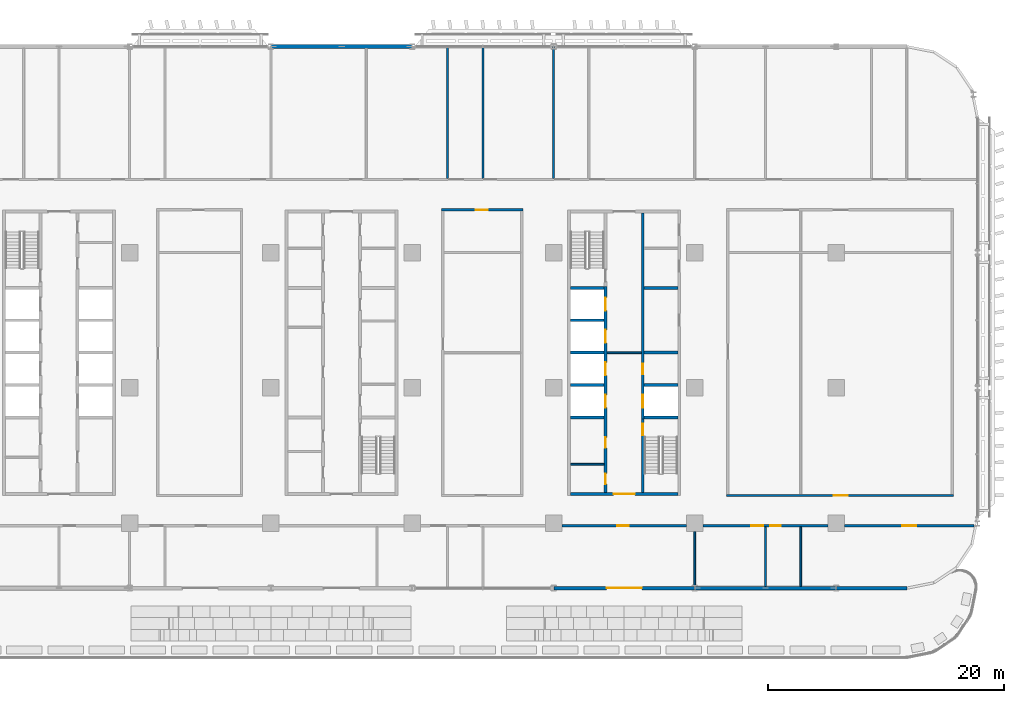
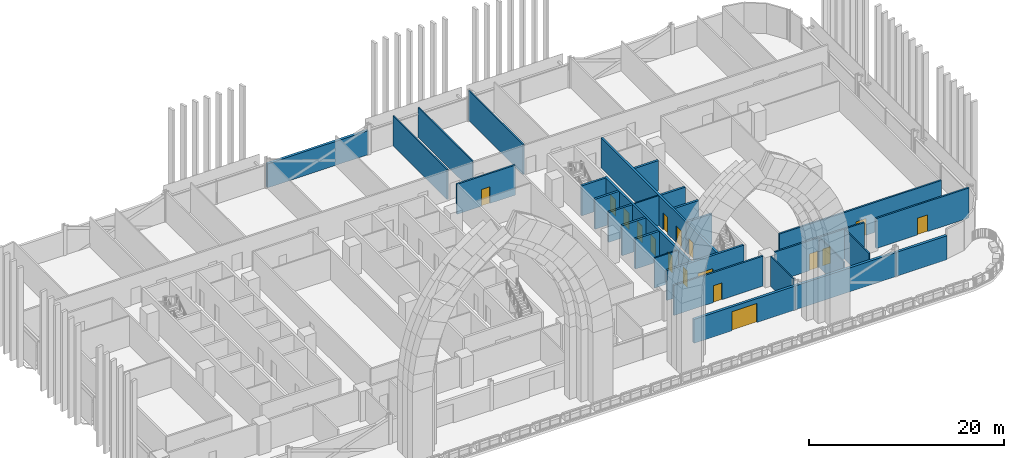
# One storey, part 14 of 31: 30 walls, 17 doors, 17 openings.
"""IFC4 building model written with IfcOpenShell, lengths in metres."""

from ifc_helpers import new_model, si_unit, direction, frame, frame_2d, origin, place, context, subcontext, project, spatial, rectangle, extrude, material, layer, layer_set, type_object, element, fill, save


model = new_model("IFC4")

# Units and contexts
model_context = context("Model", 3, precision=1e-05, world=origin(), true_north=direction((0.0, 1.0)))
body_context = subcontext(model_context, "Body", "Model", "MODEL_VIEW")
ifc_project = project(units=[si_unit("LENGTHUNIT", "METRE"), si_unit("AREAUNIT", "SQUARE_METRE"), si_unit("VOLUMEUNIT", "CUBIC_METRE"), si_unit("PLANEANGLEUNIT", "RADIAN"), si_unit("MASSUNIT", "GRAM", prefix="KILO")], contexts=[model_context])

# Site, building, storey
site_placement = place(None, origin())
site = spatial("IfcSite", under=ifc_project, at=site_placement, CompositionType="ELEMENT")
building_placement = place(site_placement, origin())
building = spatial("IfcBuilding", under=site, at=building_placement, Name="Mahtab Terrace Research Tower", CompositionType="ELEMENT")
storey_placement = place(building_placement, frame((0.0, 0.0, 84.800048828125)))
storey = spatial("IfcBuildingStorey", under=building, at=storey_placement, Name="L19", CompositionType="ELEMENT", Elevation=84.800048828125)

# Walls
ifc_material_1 = material(Name="Gypsum board partition")
ifc_layer_1 = layer(ifc_material_1, 0.14990234375)
ifc_layer_set_1 = layer_set([ifc_layer_1], Name="Core partition 150")
wall_type_1 = type_object("IfcWallType", Name="Core partition 150", PredefinedType="PARTITIONING", material=ifc_layer_set_1)
wall_1_placement = place(storey_placement, frame((22.550048828125, 3.0, 0.0), z_axis=(0.0, 0.0, 1.0), x_axis=(1.0, 0.0, 0.0)))
element("IfcWall", 1, at=wall_1_placement, inside=storey, type_object=wall_type_1, Name="Core wall C ffl", PredefinedType="PARTITIONING", context=body_context, shape_type="SweptSolid", body=[
    extrude(rectangle(XDim=2.89990234375, YDim=0.14990234375, at=frame_2d((1.449951171875, 0.0))), origin(), (0.0, 0.0, 1.0), 3.760009765625),
])
wall_2_placement = place(storey_placement, frame((19.449951171875, -6.47509765625, 0.0), z_axis=(0.0, 0.0, 1.0), x_axis=(1.0, 0.0, 0.0)))
element("IfcWall", 2, at=wall_2_placement, inside=storey, type_object=wall_type_1, Name="Core wall C pWS-948", PredefinedType="PARTITIONING", context=body_context, shape_type="SweptSolid", body=[
    extrude(rectangle(XDim=2.85009765625, YDim=0.14990234375, at=frame_2d((1.425048828125, 0.0))), origin(), (0.0, 0.0, 1.0), 3.760009765625),
])

# Wall, opening, door
ifc_material_2 = material(Name="Concrete C70/85", Category="concrete")
ifc_layer_2 = layer(ifc_material_2, 0.25)
ifc_layer_set_2 = layer_set([ifc_layer_2], Name="Core wall 250")
wall_type_2 = type_object("IfcWallType", Name="Core wall 250", PredefinedType="SOLIDWALL", material=ifc_layer_set_2)
wall_3_placement = place(storey_placement, frame((28.550048828125, -9.0, 0.0), z_axis=(0.0, 0.0, 1.0), x_axis=(-1.0, 0.0, 0.0)))
wall_3 = element("IfcWall", 3, at=wall_3_placement, inside=storey, type_object=wall_type_2, Name="Core wall C endS", PredefinedType="SOLIDWALL", context=body_context, shape_type="SweptSolid", body=[
    extrude(rectangle(XDim=9.10009765625, YDim=0.25, at=frame_2d((4.550048828125, 0.0))), origin(), (0.0, 0.0, 1.0), 3.760009765625),
])
opening_1_placement = place(wall_3_placement, frame((3.64990234375, 0.0, 0.0)))
opening_1 = element("IfcOpeningElement", 4, at=opening_1_placement, cuts=wall_3, Name="Opening C-S1", PredefinedType="OPENING", context=body_context, shape_type="SweptSolid", body=[
    extrude(rectangle(XDim=1.800048828125, YDim=2.10009765625, at=frame_2d((0.89990234375, 1.050048828125))), frame((0.0, 0.135009765625, 0.0), z_axis=(0.0, -1.0, 0.0), x_axis=(1.0, 0.0, 0.0)), (0.0, 0.0, 1.0), 0.27001953125),
])
ifc_material_3 = material(Name="Steel fire door", Category="steel")
door_type_1 = type_object("IfcDoorType", Name="Lobby double door 1800x2100 1 HR", OperationType="DOUBLE_DOOR_SINGLE_SWING", PredefinedType="DOOR", material=ifc_material_3)
door_1_placement = place(opening_1_placement, origin())
door_1 = element("IfcDoor", 5, at=door_1_placement, inside=storey, type_object=door_type_1, Name="Core entrance door C S", OperationType="DOUBLE_DOOR_SINGLE_SWING", OverallHeight=2.10009765625, OverallWidth=1.800048828125, PredefinedType="DOOR", context=body_context, shape_type="SweptSolid", body=[
    extrude(rectangle(XDim=1.800048828125, YDim=2.10009765625, at=frame_2d((0.89990234375, 1.050048828125))), frame((0.0, 0.02490234375, 0.0), z_axis=(0.0, -1.0, 0.0), x_axis=(1.0, 0.0, 0.0)), (0.0, 0.0, 1.0), 0.050048828125),
])
fill(opening_1, door_1)

# Wall, openings, doors
wall_4_placement = place(storey_placement, frame((22.425048828125, -8.875, 0.0), z_axis=(0.0, 0.0, 1.0), x_axis=(0.0, 1.0, 0.0)))
wall_4 = element("IfcWall", 6, at=wall_4_placement, inside=storey, type_object=wall_type_2, Name="Core wall C innerWSL", PredefinedType="SOLIDWALL", context=body_context, shape_type="SweptSolid", body=[
    extrude(rectangle(XDim=17.5, YDim=0.25, at=frame_2d((8.75, 0.0))), origin(), (0.0, 0.0, 1.0), 3.760009765625),
])
opening_2_placement = place(wall_4_placement, frame((7.199951171875, 0.0, 0.0)))
opening_2 = element("IfcOpeningElement", 7, at=opening_2_placement, cuts=wall_4, Name="Opening LD17-L19", PredefinedType="OPENING", context=body_context, shape_type="SweptSolid", body=[
    extrude(rectangle(XDim=1.10009765625, YDim=2.10009765625, at=frame_2d((0.550048828125, 1.050048828125))), frame((0.0, 0.135009765625, 0.0), z_axis=(0.0, -1.0, 0.0), x_axis=(1.0, 0.0, 0.0)), (0.0, 0.0, 1.0), 0.27001953125),
])
opening_3_placement = place(wall_4_placement, frame((9.949951171875, 0.0, 0.0)))
opening_3 = element("IfcOpeningElement", 8, at=opening_3_placement, cuts=wall_4, Name="Opening LD18-L19", PredefinedType="OPENING", context=body_context, shape_type="SweptSolid", body=[
    extrude(rectangle(XDim=1.10009765625, YDim=2.10009765625, at=frame_2d((0.550048828125, 1.050048828125))), frame((0.0, 0.135009765625, 0.0), z_axis=(0.0, -1.0, 0.0), x_axis=(1.0, 0.0, 0.0)), (0.0, 0.0, 1.0), 0.27001953125),
])
opening_4_placement = place(wall_4_placement, frame((12.699951171875, 0.0, 0.0)))
opening_4 = element("IfcOpeningElement", 9, at=opening_4_placement, cuts=wall_4, Name="Opening LD19-L19", PredefinedType="OPENING", context=body_context, shape_type="SweptSolid", body=[
    extrude(rectangle(XDim=1.10009765625, YDim=2.10009765625, at=frame_2d((0.550048828125, 1.050048828125))), frame((0.0, 0.135009765625, 0.0), z_axis=(0.0, -1.0, 0.0), x_axis=(1.0, 0.0, 0.0)), (0.0, 0.0, 1.0), 0.27001953125),
])
opening_5_placement = place(wall_4_placement, frame((15.449951171875, 0.0, 0.0)))
opening_5 = element("IfcOpeningElement", 10, at=opening_5_placement, cuts=wall_4, Name="Opening LD20-L19", PredefinedType="OPENING", context=body_context, shape_type="SweptSolid", body=[
    extrude(rectangle(XDim=1.10009765625, YDim=2.10009765625, at=frame_2d((0.550048828125, 1.050048828125))), frame((0.0, 0.135009765625, 0.0), z_axis=(0.0, -1.0, 0.0), x_axis=(1.0, 0.0, 0.0)), (0.0, 0.0, 1.0), 0.27001953125),
])
opening_6_placement = place(wall_4_placement, frame((0.71240234375, 0.0, 0.0)))
opening_6 = element("IfcOpeningElement", 11, at=opening_6_placement, cuts=wall_4, Name="Opening C-R3", PredefinedType="OPENING", context=body_context, shape_type="SweptSolid", body=[
    extrude(rectangle(XDim=0.89990234375, YDim=2.10009765625, at=frame_2d((0.449951171875, 1.050048828125))), frame((0.0, 0.135009765625, 0.0), z_axis=(0.0, -1.0, 0.0), x_axis=(1.0, 0.0, 0.0)), (0.0, 0.0, 1.0), 0.27001953125),
])
opening_7_placement = place(wall_4_placement, frame((3.78759765625, 0.0, 0.0)))
opening_7 = element("IfcOpeningElement", 12, at=opening_7_placement, cuts=wall_4, Name="Opening C-R4", PredefinedType="OPENING", context=body_context, shape_type="SweptSolid", body=[
    extrude(rectangle(XDim=0.89990234375, YDim=2.10009765625, at=frame_2d((0.449951171875, 1.050048828125))), frame((0.0, 0.135009765625, 0.0), z_axis=(0.0, -1.0, 0.0), x_axis=(1.0, 0.0, 0.0)), (0.0, 0.0, 1.0), 0.27001953125),
])
ifc_material_4 = material(Name="Stainless steel AISI 304", Category="steel")
door_type_2 = type_object("IfcDoorType", Name="Landing door 1100x2100", OperationType="DOUBLE_DOOR_SLIDING", PredefinedType="DOOR", material=ifc_material_4)
door_2_placement = place(opening_2_placement, origin())
door_2 = element("IfcDoor", 13, at=door_2_placement, inside=storey, type_object=door_type_2, Name="Landing door SV1 L19", OperationType="DOUBLE_DOOR_SLIDING", OverallHeight=2.10009765625, OverallWidth=1.10009765625, PredefinedType="DOOR", context=body_context, shape_type="SweptSolid", body=[
    extrude(rectangle(XDim=1.10009765625, YDim=2.10009765625, at=frame_2d((0.550048828125, 1.050048828125))), frame((0.0, 0.02490234375, 0.0), z_axis=(0.0, -1.0, 0.0), x_axis=(1.0, 0.0, 0.0)), (0.0, 0.0, 1.0), 0.050048828125),
])
fill(opening_2, door_2)
door_3_placement = place(opening_3_placement, origin())
door_3 = element("IfcDoor", 14, at=door_3_placement, inside=storey, type_object=door_type_2, Name="Landing door SV2 L19", OperationType="DOUBLE_DOOR_SLIDING", OverallHeight=2.10009765625, OverallWidth=1.10009765625, PredefinedType="DOOR", context=body_context, shape_type="SweptSolid", body=[
    extrude(rectangle(XDim=1.10009765625, YDim=2.10009765625, at=frame_2d((0.550048828125, 1.050048828125))), frame((0.0, 0.02490234375, 0.0), z_axis=(0.0, -1.0, 0.0), x_axis=(1.0, 0.0, 0.0)), (0.0, 0.0, 1.0), 0.050048828125),
])
fill(opening_3, door_3)
door_4_placement = place(opening_4_placement, origin())
door_4 = element("IfcDoor", 15, at=door_4_placement, inside=storey, type_object=door_type_2, Name="Landing door FF1 L19", OperationType="DOUBLE_DOOR_SLIDING", OverallHeight=2.10009765625, OverallWidth=1.10009765625, PredefinedType="DOOR", context=body_context, shape_type="SweptSolid", body=[
    extrude(rectangle(XDim=1.10009765625, YDim=2.10009765625, at=frame_2d((0.550048828125, 1.050048828125))), frame((0.0, 0.02490234375, 0.0), z_axis=(0.0, -1.0, 0.0), x_axis=(1.0, 0.0, 0.0)), (0.0, 0.0, 1.0), 0.050048828125),
])
fill(opening_4, door_4)
door_5_placement = place(opening_5_placement, origin())
door_5 = element("IfcDoor", 16, at=door_5_placement, inside=storey, type_object=door_type_2, Name="Landing door FF2 L19", OperationType="DOUBLE_DOOR_SLIDING", OverallHeight=2.10009765625, OverallWidth=1.10009765625, PredefinedType="DOOR", context=body_context, shape_type="SweptSolid", body=[
    extrude(rectangle(XDim=1.10009765625, YDim=2.10009765625, at=frame_2d((0.550048828125, 1.050048828125))), frame((0.0, 0.02490234375, 0.0), z_axis=(0.0, -1.0, 0.0), x_axis=(1.0, 0.0, 0.0)), (0.0, 0.0, 1.0), 0.050048828125),
])
fill(opening_5, door_5)
door_type_3 = type_object("IfcDoorType", Name="Room door 900x2100 1 HR", OperationType="NOTDEFINED", PredefinedType="DOOR", material=ifc_material_3)
door_6_placement = place(opening_6_placement, origin())
door_6 = element("IfcDoor", 17, at=door_6_placement, inside=storey, type_object=door_type_3, Name="Accessible WC door", OperationType="SINGLE_SWING_LEFT", OverallHeight=2.10009765625, OverallWidth=0.89990234375, PredefinedType="DOOR", context=body_context, shape_type="SweptSolid", body=[
    extrude(rectangle(XDim=0.89990234375, YDim=2.10009765625, at=frame_2d((0.449951171875, 1.050048828125))), frame((0.0, 0.02490234375, 0.0), z_axis=(0.0, -1.0, 0.0), x_axis=(1.0, 0.0, 0.0)), (0.0, 0.0, 1.0), 0.050048828125),
])
fill(opening_6, door_6)
door_7_placement = place(opening_7_placement, origin())
door_7 = element("IfcDoor", 18, at=door_7_placement, inside=storey, type_object=door_type_3, Name="WC block door", OperationType="SINGLE_SWING_RIGHT", OverallHeight=2.10009765625, OverallWidth=0.89990234375, PredefinedType="DOOR", context=body_context, shape_type="SweptSolid", body=[
    extrude(rectangle(XDim=0.89990234375, YDim=2.10009765625, at=frame_2d((0.449951171875, 1.050048828125))), frame((0.0, 0.02490234375, 0.0), z_axis=(0.0, -1.0, 0.0), x_axis=(1.0, 0.0, 0.0)), (0.0, 0.0, 1.0), 0.050048828125),
])
fill(opening_7, door_7)

# Wall, opening, door
wall_5_placement = place(storey_placement, frame((25.574951171875, -8.875, 0.0), z_axis=(0.0, 0.0, 1.0), x_axis=(0.0, 1.0, 0.0)))
wall_5 = element("IfcWall", 19, at=wall_5_placement, inside=storey, type_object=wall_type_2, Name="Core wall C innerES", PredefinedType="SOLIDWALL", context=body_context, shape_type="SweptSolid", body=[
    extrude(rectangle(XDim=6.25, YDim=0.25, at=frame_2d((3.125, 0.0))), origin(), (0.0, 0.0, 1.0), 3.760009765625),
])
opening_8_placement = place(wall_5_placement, frame((4.85009765625, 0.0, 0.0)))
opening_8 = element("IfcOpeningElement", 20, at=opening_8_placement, cuts=wall_5, Name="Opening C-ST4", PredefinedType="OPENING", context=body_context, shape_type="SweptSolid", body=[
    extrude(rectangle(XDim=1.0, YDim=2.10009765625, at=frame_2d((0.5, 1.050048828125))), frame((0.0, 0.135009765625, 0.0), z_axis=(0.0, -1.0, 0.0), x_axis=(1.0, 0.0, 0.0)), (0.0, 0.0, 1.0), 0.27001953125),
])
door_type_4 = type_object("IfcDoorType", Name="Stair door 1000x2100 1.5 HR", OperationType="NOTDEFINED", PredefinedType="DOOR", material=ifc_material_3)
door_8_placement = place(opening_8_placement, origin())
door_8 = element("IfcDoor", 21, at=door_8_placement, inside=storey, type_object=door_type_4, Name="Stair door ST4 L19", OperationType="SINGLE_SWING_RIGHT", OverallHeight=2.10009765625, OverallWidth=1.0, PredefinedType="DOOR", context=body_context, shape_type="SweptSolid", body=[
    extrude(rectangle(XDim=1.0, YDim=2.10009765625, at=frame_2d((0.5, 1.050048828125))), frame((0.0, 0.02490234375, 0.0), z_axis=(0.0, -1.0, 0.0), x_axis=(1.0, 0.0, 0.0)), (0.0, 0.0, 1.0), 0.050048828125),
])
fill(opening_8, door_8)

# Wall, openings, doors
wall_6_placement = place(storey_placement, frame((25.574951171875, 14.875, 0.0), z_axis=(0.0, 0.0, 1.0), x_axis=(0.0, -1.0, 0.0)))
wall_6 = element("IfcWall", 22, at=wall_6_placement, inside=storey, type_object=wall_type_2, Name="Core wall C innerELN", PredefinedType="SOLIDWALL", context=body_context, shape_type="SweptSolid", body=[
    extrude(rectangle(XDim=17.5, YDim=0.25, at=frame_2d((8.75, 0.0))), origin(), (0.0, 0.0, 1.0), 3.760009765625),
])
opening_9_placement = place(wall_6_placement, frame((15.449951171875, 0.0, 0.0)))
opening_9 = element("IfcOpeningElement", 23, at=opening_9_placement, cuts=wall_6, Name="Opening LD21-L19", PredefinedType="OPENING", context=body_context, shape_type="SweptSolid", body=[
    extrude(rectangle(XDim=1.10009765625, YDim=2.10009765625, at=frame_2d((0.550048828125, 1.050048828125))), frame((0.0, 0.135009765625, 0.0), z_axis=(0.0, -1.0, 0.0), x_axis=(1.0, 0.0, 0.0)), (0.0, 0.0, 1.0), 0.27001953125),
])
opening_10_placement = place(wall_6_placement, frame((12.800048828125, 0.0, 0.0)))
opening_10 = element("IfcOpeningElement", 24, at=opening_10_placement, cuts=wall_6, Name="Opening C-R1", PredefinedType="OPENING", context=body_context, shape_type="SweptSolid", body=[
    extrude(rectangle(XDim=0.89990234375, YDim=2.10009765625, at=frame_2d((0.449951171875, 1.050048828125))), frame((0.0, 0.135009765625, 0.0), z_axis=(0.0, -1.0, 0.0), x_axis=(1.0, 0.0, 0.0)), (0.0, 0.0, 1.0), 0.27001953125),
])
door_9_placement = place(opening_9_placement, origin())
door_9 = element("IfcDoor", 25, at=door_9_placement, inside=storey, type_object=door_type_2, Name="Landing door SV3 L19", OperationType="DOUBLE_DOOR_SLIDING", OverallHeight=2.10009765625, OverallWidth=1.10009765625, PredefinedType="DOOR", context=body_context, shape_type="SweptSolid", body=[
    extrude(rectangle(XDim=1.10009765625, YDim=2.10009765625, at=frame_2d((0.550048828125, 1.050048828125))), frame((0.0, 0.02490234375, 0.0), z_axis=(0.0, -1.0, 0.0), x_axis=(1.0, 0.0, 0.0)), (0.0, 0.0, 1.0), 0.050048828125),
])
fill(opening_9, door_9)
door_10_placement = place(opening_10_placement, origin())
door_10 = element("IfcDoor", 26, at=door_10_placement, inside=storey, type_object=door_type_3, Name="Plant room door", OperationType="SINGLE_SWING_LEFT", OverallHeight=2.10009765625, OverallWidth=0.89990234375, PredefinedType="DOOR", context=body_context, shape_type="SweptSolid", body=[
    extrude(rectangle(XDim=0.89990234375, YDim=2.10009765625, at=frame_2d((0.449951171875, 1.050048828125))), frame((0.0, 0.02490234375, 0.0), z_axis=(0.0, -1.0, 0.0), x_axis=(1.0, 0.0, 0.0)), (0.0, 0.0, 1.0), 0.050048828125),
])
fill(opening_10, door_10)

# Walls
for number, where, z_axis, x_axis, name in (
    (27, (19.449951171875, -2.5, 0.0), (0.0, 0.0, 1.0), (1.0, 0.0, 0.0), "Core wall C divW0"),
    (28, (19.449951171875, 0.25, 0.0), (0.0, 0.0, 1.0), (1.0, 0.0, 0.0), "Core wall C divW1"),
    (29, (19.449951171875, 3.0, 0.0), (0.0, 0.0, 1.0), (1.0, 0.0, 0.0), "Core wall C divW2"),
    (30, (19.449951171875, 5.75, 0.0), (0.0, 0.0, 1.0), (1.0, 0.0, 0.0), "Core wall C divW3"),
    (31, (19.449951171875, 8.5, 0.0), (0.0, 0.0, 1.0), (1.0, 0.0, 0.0), "Core wall C divW4"),
    (32, (25.699951171875, -2.5, 0.0), (0.0, 0.0, 1.0), (1.0, 0.0, 0.0), "Core wall C divE0"),
    (33, (25.699951171875, 0.25, 0.0), (0.0, 0.0, 1.0), (1.0, 0.0, 0.0), "Core wall C divE1"),
    (34, (25.699951171875, 3.0, 0.0), (0.0, 0.0, 1.0), (1.0, 0.0, 0.0), "Core wall C divE2"),
    (35, (25.699951171875, 8.5, 0.0), (0.0, 0.0, 1.0), (1.0, 0.0, 0.0), "Core wall C divE4"),
):
    element("IfcWall", number, at=place(storey_placement, frame(where, z_axis=z_axis, x_axis=x_axis)), inside=storey, type_object=wall_type_2, Name=name, PredefinedType="SOLIDWALL", context=body_context, shape_type="SweptSolid", body=[
        extrude(rectangle(XDim=2.85009765625, YDim=0.25, at=frame_2d((1.425048828125, 0.0))), origin(), (0.0, 0.0, 1.0), 3.760009765625),
    ])
ifc_material_5 = material(Name="Black aluminium cladding panel", Category="aluminium")
ifc_layer_3 = layer(ifc_material_5, 0.300048828125)
ifc_layer_set_3 = layer_set([ifc_layer_3], Name="Opaque facade wall 300")
wall_type_3 = type_object("IfcWallType", Name="Opaque facade wall 300", PredefinedType="NOTDEFINED", material=ifc_layer_set_3)
wall_7_placement = place(storey_placement, frame((5.97900390625, 29.0, 0.0), z_axis=(0.0, 0.0, 1.0), x_axis=(-1.0, 0.0, 0.0)))
element("IfcWall", 36, at=wall_7_placement, inside=storey, type_object=wall_type_3, Name="Opaque facade wall L19 N7", PredefinedType="NOTDEFINED", context=body_context, shape_type="SweptSolid", body=[
    extrude(rectangle(XDim=11.9580078125, YDim=0.300048828125, at=frame_2d((5.97900390625, 0.0))), origin(), (0.0, 0.0, 1.0), 3.0029296875),
])

# Wall, opening, door
wall_8_placement = place(storey_placement, frame((18.02099609375, -17.0, 0.0), z_axis=(0.0, 0.0, 1.0), x_axis=(1.0, 0.0, 0.0)))
wall_8 = element("IfcWall", 37, at=wall_8_placement, inside=storey, type_object=wall_type_3, Name="Opaque facade wall L19 S28", PredefinedType="NOTDEFINED", context=body_context, shape_type="SweptSolid", body=[
    extrude(rectangle(XDim=11.9580078125, YDim=0.300048828125, at=frame_2d((5.97900390625, 0.0))), origin(), (0.0, 0.0, 1.0), 3.0029296875),
])
opening_11_placement = place(wall_8_placement, frame((4.47900390625, 0.0, 0.0)))
opening_11 = element("IfcOpeningElement", 38, at=opening_11_placement, cuts=wall_8, Name="Opening ED1", PredefinedType="OPENING", context=body_context, shape_type="SweptSolid", body=[
    extrude(rectangle(XDim=3.0, YDim=2.39990234375, at=frame_2d((1.5, 1.199951171875))), frame((0.0, 0.159912109375, 0.0), z_axis=(0.0, -1.0, 0.0), x_axis=(1.0, 0.0, 0.0)), (0.0, 0.0, 1.0), 0.320068359375),
])
ifc_material_6 = material(Name="Black anodised aluminium", Category="aluminium")
door_type_5 = type_object("IfcDoorType", Name="Terrace double door 3000x2400", OperationType="DOUBLE_DOOR_DOUBLE_SWING", PredefinedType="DOOR", material=ifc_material_6)
door_11_placement = place(opening_11_placement, origin())
door_11 = element("IfcDoor", 39, at=door_11_placement, inside=storey, type_object=door_type_5, Name="Terrace door L19 S", OperationType="SINGLE_SWING_LEFT", OverallHeight=2.39990234375, OverallWidth=3.0, PredefinedType="DOOR", context=body_context, shape_type="SweptSolid", body=[
    extrude(rectangle(XDim=3.0, YDim=2.39990234375, at=frame_2d((1.5, 1.199951171875))), frame((0.0, 0.02490234375, 0.0), z_axis=(0.0, -1.0, 0.0), x_axis=(1.0, 0.0, 0.0)), (0.0, 0.0, 1.0), 0.050048828125),
])
fill(opening_11, door_11)

# Walls
wall_9_placement = place(storey_placement, frame((30.02099609375, -17.0, 0.0), z_axis=(0.0, 0.0, 1.0), x_axis=(1.0, 0.0, 0.0)))
element("IfcWall", 40, at=wall_9_placement, inside=storey, type_object=wall_type_3, Name="Opaque facade wall L19 S29", PredefinedType="NOTDEFINED", context=body_context, shape_type="SweptSolid", body=[
    extrude(rectangle(XDim=11.9580078125, YDim=0.300048828125, at=frame_2d((5.97900390625, 0.0))), origin(), (0.0, 0.0, 1.0), 3.0029296875),
])
wall_10_placement = place(storey_placement, frame((42.02099609375, -17.0, 0.0), z_axis=(0.0, 0.0, 1.0), x_axis=(1.0, 0.0, 0.0)))
element("IfcWall", 41, at=wall_10_placement, inside=storey, type_object=wall_type_3, Name="Opaque facade wall L19 S30", PredefinedType="NOTDEFINED", context=body_context, shape_type="SweptSolid", body=[
    extrude(rectangle(XDim=5.97900390625, YDim=0.300048828125, at=frame_2d((2.989501953125, 0.0))), origin(), (0.0, 0.0, 1.0), 3.0029296875),
])

# Wall, opening, door
ifc_material_7 = material(Name="Gypsum board corridor wall on steel studs", Category="steel")
ifc_layer_4 = layer(ifc_material_7, 0.199951171875)
ifc_layer_set_4 = layer_set([ifc_layer_4], Name="WALL CORRIDOR 200")
wall_type_4 = type_object("IfcWallType", Name="WALL CORRIDOR 200", PredefinedType="PARTITIONING", material=ifc_layer_set_4)
wall_11_placement = place(storey_placement, frame((18.699951171875, -11.699951171875, 0.0), z_axis=(0.0, 0.0, 1.0), x_axis=(1.0, 0.0, 0.0)))
wall_11 = element("IfcWall", 42, at=wall_11_placement, inside=storey, type_object=wall_type_4, Name="L19-W006", PredefinedType="PARTITIONING", context=body_context, shape_type="SweptSolid", body=[
    extrude(rectangle(XDim=10.60009765625, YDim=0.199951171875, at=frame_2d((5.300048828125, 0.0))), origin(), (0.0, 0.0, 1.0), 3.760009765625),
])
opening_12_placement = place(wall_11_placement, frame((4.699951171875, 0.0, 0.0)))
opening_12 = element("IfcOpeningElement", 43, at=opening_12_placement, cuts=wall_11, Name="Opening L19-107", PredefinedType="OPENING", context=body_context, shape_type="SweptSolid", body=[
    extrude(rectangle(XDim=1.0, YDim=2.10009765625, at=frame_2d((0.5, 1.050048828125))), frame((0.0, 0.10986328125, 0.0), z_axis=(0.0, -1.0, 0.0), x_axis=(1.0, 0.0, 0.0)), (0.0, 0.0, 1.0), 0.219970703125),
])
ifc_material_8 = material(Name="Timber door leaf in steel frame", Category="steel")
door_type_6 = type_object("IfcDoorType", Name="DOOR 1000X2100 FD30S", OperationType="SINGLE_SWING_LEFT", PredefinedType="DOOR", material=ifc_material_8)
door_12_placement = place(opening_12_placement, origin())
door_12 = element("IfcDoor", 44, at=door_12_placement, inside=storey, type_object=door_type_6, Name="Door L19-107", OperationType="SINGLE_SWING_RIGHT", OverallHeight=2.10009765625, OverallWidth=1.0, PredefinedType="DOOR", context=body_context, shape_type="SweptSolid", body=[
    extrude(rectangle(XDim=1.0, YDim=2.10009765625, at=frame_2d((0.5, 1.050048828125))), frame((0.0, 0.02490234375, 0.0), z_axis=(0.0, -1.0, 0.0), x_axis=(1.0, 0.0, 0.0)), (0.0, 0.0, 1.0), 0.050048828125),
])
fill(opening_12, door_12)

# Wall, openings, doors
wall_12_placement = place(storey_placement, frame((30.699951171875, -11.699951171875, 0.0), z_axis=(0.0, 0.0, 1.0), x_axis=(1.0, 0.0, 0.0)))
wall_12 = element("IfcWall", 45, at=wall_12_placement, inside=storey, type_object=wall_type_4, Name="L19-W007", PredefinedType="PARTITIONING", context=body_context, shape_type="SweptSolid", body=[
    extrude(rectangle(XDim=10.60009765625, YDim=0.199951171875, at=frame_2d((5.300048828125, 0.0))), origin(), (0.0, 0.0, 1.0), 3.760009765625),
])
opening_13_placement = place(wall_12_placement, frame((4.10009765625, 0.0, 0.0)))
opening_13 = element("IfcOpeningElement", 46, at=opening_13_placement, cuts=wall_12, Name="Opening L19-108", PredefinedType="OPENING", context=body_context, shape_type="SweptSolid", body=[
    extrude(rectangle(XDim=1.0, YDim=2.10009765625, at=frame_2d((0.5, 1.050048828125))), frame((0.0, 0.10986328125, 0.0), z_axis=(0.0, -1.0, 0.0), x_axis=(1.0, 0.0, 0.0)), (0.0, 0.0, 1.0), 0.219970703125),
])
opening_14_placement = place(wall_12_placement, frame((5.699951171875, 0.0, 0.0)))
opening_14 = element("IfcOpeningElement", 47, at=opening_14_placement, cuts=wall_12, Name="Opening L19-109", PredefinedType="OPENING", context=body_context, shape_type="SweptSolid", body=[
    extrude(rectangle(XDim=0.89990234375, YDim=2.10009765625, at=frame_2d((0.449951171875, 1.050048828125))), frame((0.0, 0.10986328125, 0.0), z_axis=(0.0, -1.0, 0.0), x_axis=(1.0, 0.0, 0.0)), (0.0, 0.0, 1.0), 0.219970703125),
])
door_type_7 = type_object("IfcDoorType", Name="DOOR 0900X2100 FD30S", OperationType="SINGLE_SWING_LEFT", PredefinedType="DOOR", material=ifc_material_8)
door_13_placement = place(opening_14_placement, origin())
door_13 = element("IfcDoor", 48, at=door_13_placement, inside=storey, type_object=door_type_7, Name="Door L19-109", OperationType="SINGLE_SWING_LEFT", OverallHeight=2.10009765625, OverallWidth=0.89990234375, PredefinedType="DOOR", context=body_context, shape_type="SweptSolid", body=[
    extrude(rectangle(XDim=0.89990234375, YDim=2.10009765625, at=frame_2d((0.449951171875, 1.050048828125))), frame((0.0, 0.02490234375, 0.0), z_axis=(0.0, -1.0, 0.0), x_axis=(1.0, 0.0, 0.0)), (0.0, 0.0, 1.0), 0.050048828125),
])
fill(opening_14, door_13)
door_14_placement = place(opening_13_placement, origin())
door_14 = element("IfcDoor", 49, at=door_14_placement, inside=storey, type_object=door_type_6, Name="Door L19-108", OperationType="SINGLE_SWING_RIGHT", OverallHeight=2.10009765625, OverallWidth=1.0, PredefinedType="DOOR", context=body_context, shape_type="SweptSolid", body=[
    extrude(rectangle(XDim=1.0, YDim=2.10009765625, at=frame_2d((0.5, 1.050048828125))), frame((0.0, 0.02490234375, 0.0), z_axis=(0.0, -1.0, 0.0), x_axis=(1.0, 0.0, 0.0)), (0.0, 0.0, 1.0), 0.050048828125),
])
fill(opening_13, door_14)

# Wall, opening, door
wall_13_placement = place(storey_placement, frame((42.699951171875, -11.699951171875, 0.0), z_axis=(0.0, 0.0, 1.0), x_axis=(1.0, 0.0, 0.0)))
wall_13 = element("IfcWall", 50, at=wall_13_placement, inside=storey, type_object=wall_type_4, Name="L19-W008", PredefinedType="PARTITIONING", context=body_context, shape_type="SweptSolid", body=[
    extrude(rectangle(XDim=11.0078125, YDim=0.199951171875, at=frame_2d((5.50390625, 0.0))), origin(), (0.0, 0.0, 1.0), 3.760009765625),
])
opening_15_placement = place(wall_13_placement, frame((4.89990234375, 0.0, 0.0)))
opening_15 = element("IfcOpeningElement", 51, at=opening_15_placement, cuts=wall_13, Name="Opening L19-110", PredefinedType="OPENING", context=body_context, shape_type="SweptSolid", body=[
    extrude(rectangle(XDim=1.199951171875, YDim=2.10009765625, at=frame_2d((0.60009765625, 1.050048828125))), frame((0.0, 0.10986328125, 0.0), z_axis=(0.0, -1.0, 0.0), x_axis=(1.0, 0.0, 0.0)), (0.0, 0.0, 1.0), 0.219970703125),
])
door_type_8 = type_object("IfcDoorType", Name="DOOR 1200X2100 FD30S", OperationType="SINGLE_SWING_LEFT", PredefinedType="DOOR", material=ifc_material_8)
door_15_placement = place(opening_15_placement, origin())
door_15 = element("IfcDoor", 52, at=door_15_placement, inside=storey, type_object=door_type_8, Name="Door L19-110", OperationType="SINGLE_SWING_RIGHT", OverallHeight=2.10009765625, OverallWidth=1.199951171875, PredefinedType="DOOR", context=body_context, shape_type="SweptSolid", body=[
    extrude(rectangle(XDim=1.199951171875, YDim=2.10009765625, at=frame_2d((0.60009765625, 1.050048828125))), frame((0.0, 0.02490234375, 0.0), z_axis=(0.0, -1.0, 0.0), x_axis=(1.0, 0.0, 0.0)), (0.0, 0.0, 1.0), 0.050048828125),
])
fill(opening_15, door_15)

wall_14_placement = place(storey_placement, frame((32.699951171875, -9.125, 0.0), z_axis=(0.0, 0.0, 1.0), x_axis=(1.0, 0.0, 0.0)))
wall_14 = element("IfcWall", 53, at=wall_14_placement, inside=storey, type_object=wall_type_4, Name="L19-W012", PredefinedType="PARTITIONING", context=body_context, shape_type="SweptSolid", body=[
    extrude(rectangle(XDim=19.25, YDim=0.199951171875, at=frame_2d((9.625, 0.0))), origin(), (0.0, 0.0, 1.0), 3.760009765625),
])
opening_16_placement = place(wall_14_placement, frame((9.10009765625, 0.0, 0.0)))
opening_16 = element("IfcOpeningElement", 54, at=opening_16_placement, cuts=wall_14, Name="Opening L19-115", PredefinedType="OPENING", context=body_context, shape_type="SweptSolid", body=[
    extrude(rectangle(XDim=1.199951171875, YDim=2.10009765625, at=frame_2d((0.60009765625, 1.050048828125))), frame((0.0, 0.10986328125, 0.0), z_axis=(0.0, -1.0, 0.0), x_axis=(1.0, 0.0, 0.0)), (0.0, 0.0, 1.0), 0.219970703125),
])
door_16_placement = place(opening_16_placement, origin())
door_16 = element("IfcDoor", 55, at=door_16_placement, inside=storey, type_object=door_type_8, Name="Door L19-115", OperationType="SINGLE_SWING_RIGHT", OverallHeight=2.10009765625, OverallWidth=1.199951171875, PredefinedType="DOOR", context=body_context, shape_type="SweptSolid", body=[
    extrude(rectangle(XDim=1.199951171875, YDim=2.10009765625, at=frame_2d((0.60009765625, 1.050048828125))), frame((0.0, 0.02490234375, 0.0), z_axis=(0.0, -1.0, 0.0), x_axis=(1.0, 0.0, 0.0)), (0.0, 0.0, 1.0), 0.050048828125),
])
fill(opening_16, door_16)

wall_15_placement = place(storey_placement, frame((8.5, 15.125, 0.0), z_axis=(0.0, 0.0, 1.0), x_axis=(1.0, 0.0, 0.0)))
wall_15 = element("IfcWall", 56, at=wall_15_placement, inside=storey, type_object=wall_type_4, Name="L19-W022", PredefinedType="PARTITIONING", context=body_context, shape_type="SweptSolid", body=[
    extrude(rectangle(XDim=6.89990234375, YDim=0.199951171875, at=frame_2d((3.449951171875, 0.0))), origin(), (0.0, 0.0, 1.0), 3.760009765625),
])
opening_17_placement = place(wall_15_placement, frame((2.89990234375, 0.0, 0.0)))
opening_17 = element("IfcOpeningElement", 57, at=opening_17_placement, cuts=wall_15, Name="Opening L19-120", PredefinedType="OPENING", context=body_context, shape_type="SweptSolid", body=[
    extrude(rectangle(XDim=1.0, YDim=2.10009765625, at=frame_2d((0.5, 1.050048828125))), frame((0.0, 0.10986328125, 0.0), z_axis=(0.0, -1.0, 0.0), x_axis=(1.0, 0.0, 0.0)), (0.0, 0.0, 1.0), 0.219970703125),
])
door_17_placement = place(opening_17_placement, origin())
door_17 = element("IfcDoor", 58, at=door_17_placement, inside=storey, type_object=door_type_6, Name="Door L19-120", OperationType="SINGLE_SWING_RIGHT", OverallHeight=2.10009765625, OverallWidth=1.0, PredefinedType="DOOR", context=body_context, shape_type="SweptSolid", body=[
    extrude(rectangle(XDim=1.0, YDim=2.10009765625, at=frame_2d((0.5, 1.050048828125))), frame((0.0, 0.02490234375, 0.0), z_axis=(0.0, -1.0, 0.0), x_axis=(1.0, 0.0, 0.0)), (0.0, 0.0, 1.0), 0.050048828125),
])
fill(opening_17, door_17)

# Walls
ifc_material_9 = material(Name="Gypsum board partition on steel studs", Category="steel")
ifc_layer_5 = layer(ifc_material_9, 0.14990234375)
ifc_layer_set_5 = layer_set([ifc_layer_5], Name="WALL PARTITION 150")
wall_type_5 = type_object("IfcWallType", Name="WALL PARTITION 150", PredefinedType="PARTITIONING", material=ifc_layer_set_5)
for number, where, z_axis, x_axis, name in (
    (59, (9.0, 17.800048828125, 0.0), (0.0, 0.0, 1.0), (0.0, 1.0, 0.0), "L19-W042"),
    (60, (12.0, 17.800048828125, 0.0), (0.0, 0.0, 1.0), (0.0, 1.0, 0.0), "L19-W044"),
    (61, (18.0, 17.800048828125, 0.0), (0.0, 0.0, 1.0), (0.0, 1.0, 0.0), "L19-W046"),
):
    element("IfcWall", number, at=place(storey_placement, frame(where, z_axis=z_axis, x_axis=x_axis)), inside=storey, type_object=wall_type_5, Name=name, PredefinedType="PARTITIONING", context=body_context, shape_type="SweptSolid", body=[
        extrude(rectangle(XDim=11.175048828125, YDim=0.14990234375, at=frame_2d((5.58740234375, 0.0))), origin(), (0.0, 0.0, 1.0), 3.760009765625),
    ])
wall_16_placement = place(storey_placement, frame((30.0, -16.85009765625, 0.0), z_axis=(0.0, 0.0, 1.0), x_axis=(0.0, 1.0, 0.0)))
element("IfcWall", 62, at=wall_16_placement, inside=storey, type_object=wall_type_5, Name="L19-W048", PredefinedType="PARTITIONING", context=body_context, shape_type="SweptSolid", body=[
    extrude(rectangle(XDim=4.650146484375, YDim=0.14990234375, at=frame_2d((2.3251953125, 0.0))), origin(), (0.0, 0.0, 1.0), 3.760009765625),
])
for number, where, z_axis, x_axis, name in (
    (63, (36.0, -16.85009765625, 0.0), (0.0, 0.0, 1.0), (0.0, 1.0, 0.0), "L19-W051"),
    (64, (39.0, -16.85009765625, 0.0), (0.0, 0.0, 1.0), (0.0, 1.0, 0.0), "L19-W053"),
):
    element("IfcWall", number, at=place(storey_placement, frame(where, z_axis=z_axis, x_axis=x_axis)), inside=storey, type_object=wall_type_5, Name=name, PredefinedType="PARTITIONING", context=body_context, shape_type="SweptSolid", body=[
        extrude(rectangle(XDim=5.050048828125, YDim=0.14990234375, at=frame_2d((2.52490234375, 0.0))), origin(), (0.0, 0.0, 1.0), 3.760009765625),
    ])

save(model, "model.ifc")
